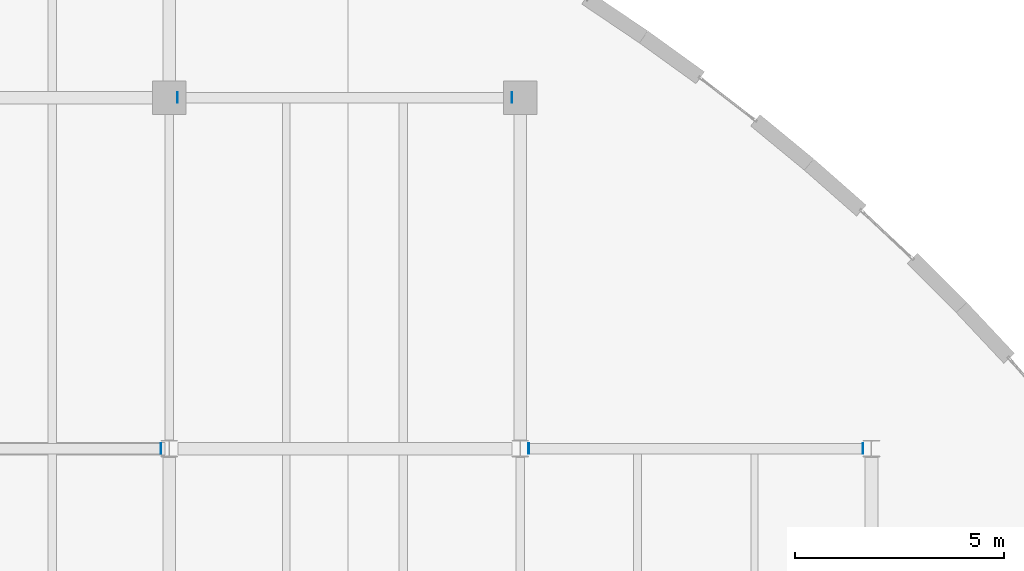
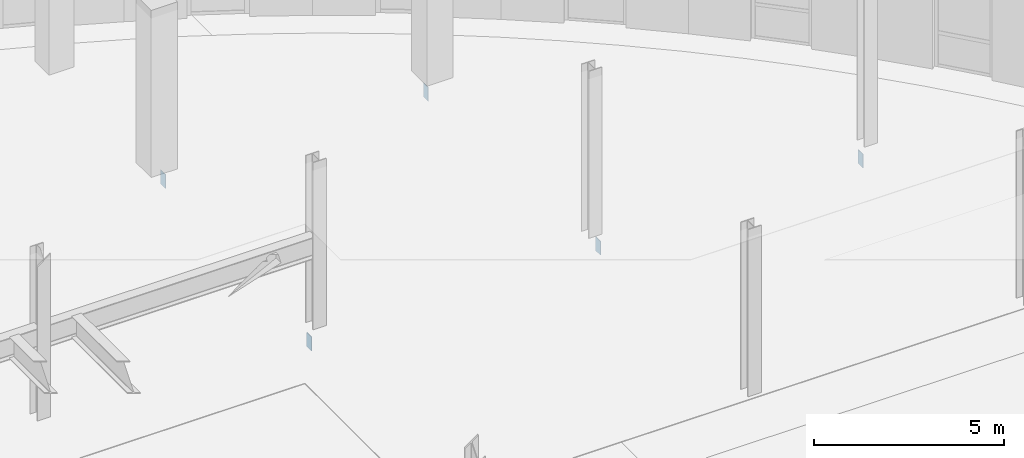
# One storey, part 86 of 110: 5 discrete accessories.
"""IFC4 building model written with IfcOpenShell, lengths in metres."""

from ifc_helpers import new_model, si_unit, direction, frame, origin, origin_2d, place, context, subcontext, project, spatial, rectangle, extrude, material, type_object, element, save


model = new_model("IFC4")

# Units and contexts
model_context = context("Model", 3, precision=1e-05, world=origin(), true_north=direction((0.0, 1.0)))
body_context = subcontext(model_context, "Body", "Model", "MODEL_VIEW")
ifc_project = project(units=[si_unit("LENGTHUNIT", "METRE"), si_unit("AREAUNIT", "SQUARE_METRE"), si_unit("VOLUMEUNIT", "CUBIC_METRE"), si_unit("PLANEANGLEUNIT", "RADIAN"), si_unit("MASSUNIT", "GRAM", prefix="KILO"), si_unit("THERMODYNAMICTEMPERATUREUNIT", "KELVIN")], contexts=[model_context])

# Site, building, storey
site_placement = place(None, origin())
site = spatial("IfcSite", under=ifc_project, at=site_placement, CompositionType="ELEMENT")
building_placement = place(site_placement, origin())
building = spatial("IfcBuilding", under=site, at=building_placement, Name="Lustrewick Department Store", CompositionType="ELEMENT")
storey_placement = place(building_placement, frame((0.0, 0.0, 6.0)))
storey = spatial("IfcBuildingStorey", under=building, at=storey_placement, Name="L02", CompositionType="ELEMENT", Elevation=6.0)

# Discrete accessories
ifc_material = material(Name="Structural steel Q355C", Category="steel")
discrete_accessory_type = type_object("IfcDiscreteAccessoryType", Name="ECP-01", PredefinedType="USERDEFINED", material=ifc_material)
for number, where, z_axis, x_axis, name in (
    (1, (134.19140625, 92.39990234375, -0.47998046875), (1.0, 0.0, 0.0), (0.0, 1.0, 0.0), "L02 Welded Hollow-Section End-Cap Plate ECP-01"),
    (2, (150.991455078125, 92.39990234375, -0.47998046875), (1.0, 0.0, 0.0), (0.0, 1.0, 0.0), "L02 Welded Hollow-Section End-Cap Plate ECP-01"),
    (3, (143.008544921875, 92.39990234375, -0.47998046875), (-1.0, 0.0, 0.0), (0.0, 1.0, 0.0), "L02 Welded Hollow-Section End-Cap Plate ECP-01"),
    (4, (142.593994140625, 100.800048828125, -0.47998046875), (1.0, 0.0, 0.0), (0.0, 1.0, 0.0), "L02 Welded Hollow-Section End-Cap Plate ECP-01"),
    (5, (134.606201171875, 100.800048828125, -0.47998046875), (-1.0, 0.0, 0.0), (0.0, 1.0, 0.0), "L02 Welded Hollow-Section End-Cap Plate ECP-01"),
):
    element("IfcDiscreteAccessory", number, at=place(storey_placement, frame(where, z_axis=z_axis, x_axis=x_axis)), inside=storey, type_object=discrete_accessory_type, Name=name, ObjectType="END_CAP_PLATE", PredefinedType="USERDEFINED", context=body_context, shape_type="SweptSolid", body=[
        extrude(rectangle(XDim=0.25, YDim=0.449951171875, at=origin_2d()), origin(), (0.0, 0.0, 1.0), 0.01611328125),
    ])

save(model, "model.ifc")
